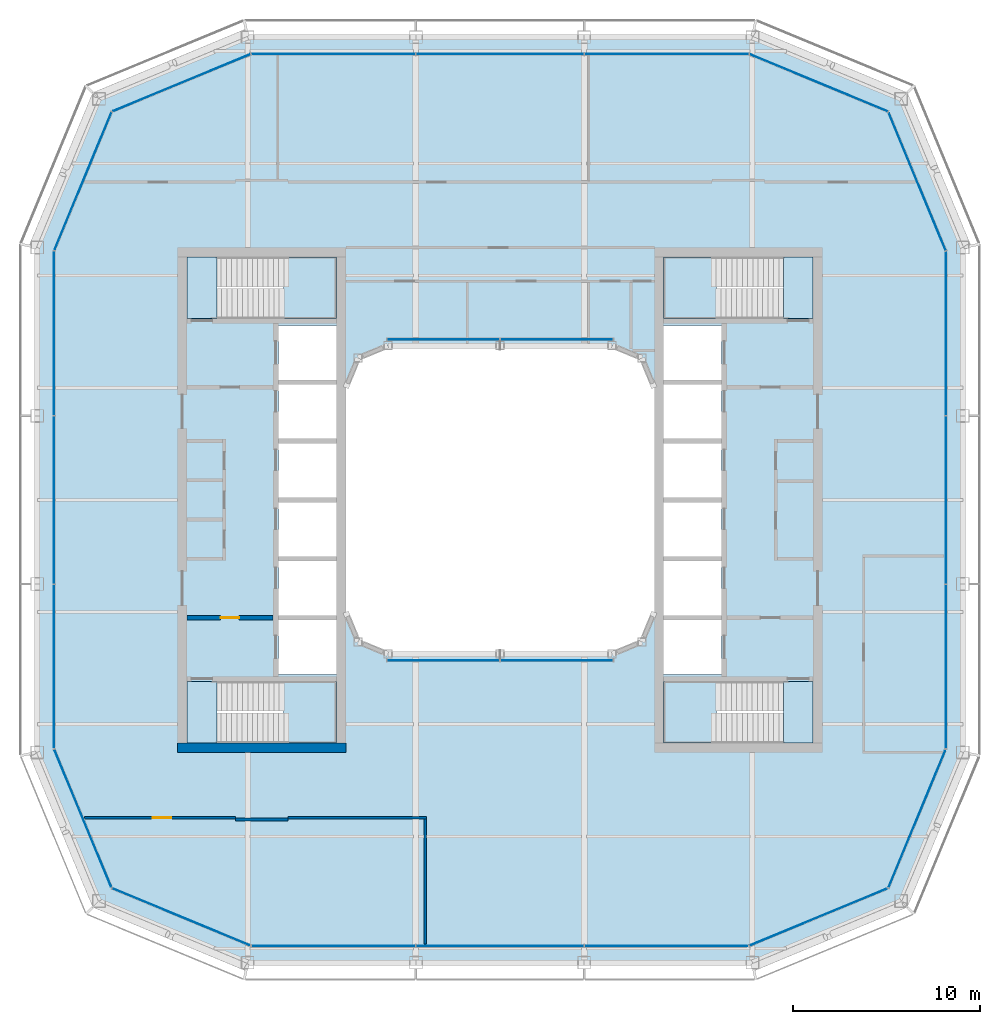
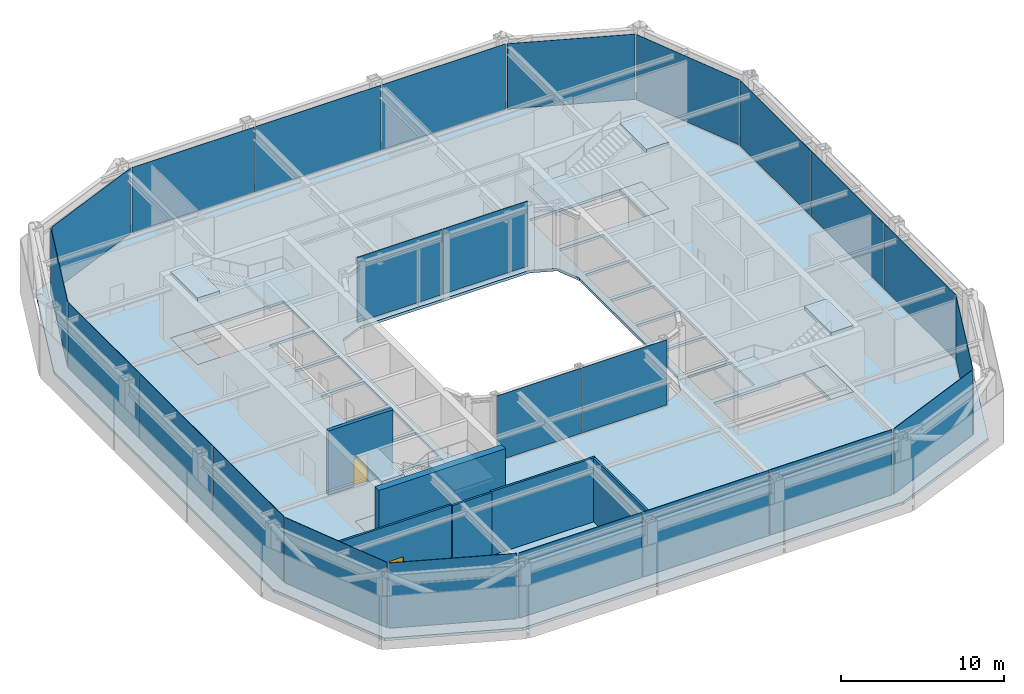
# One storey, part 10 of 17: 24 plates, 13 slabs, 6 walls, 2 doors, 2 openings, 18 elements without a shape of their own.
"""IFC4 building model written with IfcOpenShell, lengths in metres."""

from ifc_helpers import new_model, si_unit, direction, frame, frame_2d, origin, origin_2d, place, context, subcontext, project, spatial, polyline, rectangle, outline, extrude, material, layer, layer_set, type_object, element, fill, aggregate, save


model = new_model("IFC4")

# Units and contexts
model_context = context("Model", 3, precision=1e-05, world=origin(), true_north=direction((0.0, 1.0)))
body_context = subcontext(model_context, "Body", "Model", "MODEL_VIEW")
ifc_project = project(units=[si_unit("LENGTHUNIT", "METRE"), si_unit("AREAUNIT", "SQUARE_METRE"), si_unit("VOLUMEUNIT", "CUBIC_METRE"), si_unit("PLANEANGLEUNIT", "RADIAN"), si_unit("MASSUNIT", "GRAM", prefix="KILO")], contexts=[model_context])

# Site, building, storey
site_placement = place(None, origin())
site = spatial("IfcSite", under=ifc_project, at=site_placement, CompositionType="ELEMENT")
building_placement = place(site_placement, origin())
building = spatial("IfcBuilding", under=site, at=building_placement, Name="Siwar Civic Tower", CompositionType="ELEMENT")
storey_placement = place(building_placement, frame((0.0, 0.0, 353.199951171875)))
storey = spatial("IfcBuildingStorey", under=building, at=storey_placement, Name="L76", CompositionType="ELEMENT", Elevation=353.199951171875)

# Stair, slabs
ifc_material_1 = material(Name="Concrete C40/50", Category="concrete")
stair_type = type_object("IfcStairType", Name="CORE-STAIR", PredefinedType="TWO_STRAIGHT_RUN_STAIR", material=ifc_material_1)
stair_1_placement = place(storey_placement, origin())
stair_1 = element("IfcStair", 1, at=stair_1_placement, inside=storey, type_object=stair_type, Name="Exit stair ST1", PredefinedType="TWO_STRAIGHT_RUN_STAIR")
ifc_material_2 = material(Name="Concrete C40/50", Category="concrete")
ifc_layer_1 = layer(ifc_material_2, 0.300048828125)
ifc_layer_set_1 = layer_set([ifc_layer_1], Name="Concrete C40/50")
slab_type_1 = type_object("IfcSlabType", Name="CORE-STAIR-LANDING", PredefinedType="LANDING", material=ifc_layer_set_1)
slab_1_placement = place(storey_placement, frame((0.0, 0.0, -0.300048828125)))
slab_1 = element("IfcSlab", 2, at=slab_1_placement, type_object=slab_type_1, Name="ST1 landing 1", PredefinedType="LANDING", context=body_context, shape_type="SweptSolid", body=[
    extrude(outline(polyline([(-15.14990234375, 13.0), (-16.75, 13.0), (-16.75, 9.699951171875), (-15.14990234375, 9.699951171875), (-15.14990234375, 13.0)])), origin(), (0.0, 0.0, 1.0), 0.300048828125),
])
slab_2_placement = place(storey_placement, frame((0.0, 0.0, 2.199951171875)))
slab_2 = element("IfcSlab", 3, at=slab_2_placement, type_object=slab_type_1, Name="ST1 landing 2", PredefinedType="LANDING", context=body_context, shape_type="SweptSolid", body=[
    extrude(outline(polyline([(-8.75, 13.0), (-11.580078125, 13.0), (-11.580078125, 9.699951171875), (-8.75, 9.699951171875), (-8.75, 13.0)])), origin(), (0.0, 0.0, 1.0), 0.300048828125),
])
placement = place(building_placement, frame((0.0, 0.0, 358.199951171875)))
slab_3_placement = place(placement, frame((0.0, 0.0, -0.300048828125)))
slab_3 = element("IfcSlab", 4, at=slab_3_placement, type_object=slab_type_1, Name="ST1 landing 3", PredefinedType="LANDING", context=body_context, shape_type="SweptSolid", body=[
    extrude(outline(polyline([(-15.14990234375, 13.0), (-16.75, 13.0), (-16.75, 9.699951171875), (-15.14990234375, 9.699951171875), (-15.14990234375, 13.0)])), origin(), (0.0, 0.0, 1.0), 0.300048828125),
])
aggregate(stair_1, [slab_1, slab_2, slab_3])

stair_2_placement = place(storey_placement, origin())
stair_2 = element("IfcStair", 5, at=stair_2_placement, inside=storey, type_object=stair_type, Name="Exit stair ST2", PredefinedType="TWO_STRAIGHT_RUN_STAIR")
slab_4_placement = place(storey_placement, frame((0.0, 0.0, -0.300048828125)))
slab_4 = element("IfcSlab", 6, at=slab_4_placement, type_object=slab_type_1, Name="ST2 landing 1", PredefinedType="LANDING", context=body_context, shape_type="SweptSolid", body=[
    extrude(outline(polyline([(-15.14990234375, -9.699951171875), (-16.75, -9.699951171875), (-16.75, -13.0), (-15.14990234375, -13.0), (-15.14990234375, -9.699951171875)])), origin(), (0.0, 0.0, 1.0), 0.300048828125),
])
slab_5_placement = place(storey_placement, frame((0.0, 0.0, 2.199951171875)))
slab_5 = element("IfcSlab", 7, at=slab_5_placement, type_object=slab_type_1, Name="ST2 landing 2", PredefinedType="LANDING", context=body_context, shape_type="SweptSolid", body=[
    extrude(outline(polyline([(-8.75, -9.699951171875), (-11.580078125, -9.699951171875), (-11.580078125, -13.0), (-8.75, -13.0), (-8.75, -9.699951171875)])), origin(), (0.0, 0.0, 1.0), 0.300048828125),
])
slab_6_placement = place(placement, frame((0.0, 0.0, -0.300048828125)))
slab_6 = element("IfcSlab", 8, at=slab_6_placement, type_object=slab_type_1, Name="ST2 landing 3", PredefinedType="LANDING", context=body_context, shape_type="SweptSolid", body=[
    extrude(outline(polyline([(-15.14990234375, -9.699951171875), (-16.75, -9.699951171875), (-16.75, -13.0), (-15.14990234375, -13.0), (-15.14990234375, -9.699951171875)])), origin(), (0.0, 0.0, 1.0), 0.300048828125),
])
aggregate(stair_2, [slab_4, slab_5, slab_6])

stair_3_placement = place(storey_placement, origin())
stair_3 = element("IfcStair", 9, at=stair_3_placement, inside=storey, type_object=stair_type, Name="Exit stair ST3", PredefinedType="TWO_STRAIGHT_RUN_STAIR")
slab_7_placement = place(storey_placement, frame((0.0, 0.0, -0.300048828125)))
slab_7 = element("IfcSlab", 10, at=slab_7_placement, type_object=slab_type_1, Name="ST3 landing 1", PredefinedType="LANDING", context=body_context, shape_type="SweptSolid", body=[
    extrude(outline(polyline([(15.14990234375, 9.699951171875), (16.75, 9.699951171875), (16.75, 13.0), (15.14990234375, 13.0), (15.14990234375, 9.699951171875)])), origin(), (0.0, 0.0, 1.0), 0.300048828125),
])
slab_8_placement = place(storey_placement, frame((0.0, 0.0, 2.199951171875)))
slab_8 = element("IfcSlab", 11, at=slab_8_placement, type_object=slab_type_1, Name="ST3 landing 2", PredefinedType="LANDING", context=body_context, shape_type="SweptSolid", body=[
    extrude(outline(polyline([(8.75, 9.699951171875), (11.580078125, 9.699951171875), (11.580078125, 13.0), (8.75, 13.0), (8.75, 9.699951171875)])), origin(), (0.0, 0.0, 1.0), 0.300048828125),
])
slab_9_placement = place(placement, frame((0.0, 0.0, -0.300048828125)))
slab_9 = element("IfcSlab", 12, at=slab_9_placement, type_object=slab_type_1, Name="ST3 landing 3", PredefinedType="LANDING", context=body_context, shape_type="SweptSolid", body=[
    extrude(outline(polyline([(15.14990234375, 9.699951171875), (16.75, 9.699951171875), (16.75, 13.0), (15.14990234375, 13.0), (15.14990234375, 9.699951171875)])), origin(), (0.0, 0.0, 1.0), 0.300048828125),
])
aggregate(stair_3, [slab_7, slab_8, slab_9])

stair_4_placement = place(storey_placement, origin())
stair_4 = element("IfcStair", 13, at=stair_4_placement, inside=storey, type_object=stair_type, Name="Exit stair ST4", PredefinedType="TWO_STRAIGHT_RUN_STAIR")
slab_10_placement = place(storey_placement, frame((0.0, 0.0, -0.300048828125)))
slab_10 = element("IfcSlab", 14, at=slab_10_placement, type_object=slab_type_1, Name="ST4 landing 1", PredefinedType="LANDING", context=body_context, shape_type="SweptSolid", body=[
    extrude(outline(polyline([(15.14990234375, -13.0), (16.75, -13.0), (16.75, -9.699951171875), (15.14990234375, -9.699951171875), (15.14990234375, -13.0)])), origin(), (0.0, 0.0, 1.0), 0.300048828125),
])
slab_11_placement = place(storey_placement, frame((0.0, 0.0, 2.199951171875)))
slab_11 = element("IfcSlab", 15, at=slab_11_placement, type_object=slab_type_1, Name="ST4 landing 2", PredefinedType="LANDING", context=body_context, shape_type="SweptSolid", body=[
    extrude(outline(polyline([(8.75, -13.0), (11.580078125, -13.0), (11.580078125, -9.699951171875), (8.75, -9.699951171875), (8.75, -13.0)])), origin(), (0.0, 0.0, 1.0), 0.300048828125),
])
slab_12_placement = place(placement, frame((0.0, 0.0, -0.300048828125)))
slab_12 = element("IfcSlab", 16, at=slab_12_placement, type_object=slab_type_1, Name="ST4 landing 3", PredefinedType="LANDING", context=body_context, shape_type="SweptSolid", body=[
    extrude(outline(polyline([(15.14990234375, -13.0), (16.75, -13.0), (16.75, -9.699951171875), (15.14990234375, -9.699951171875), (15.14990234375, -13.0)])), origin(), (0.0, 0.0, 1.0), 0.300048828125),
])
aggregate(stair_4, [slab_10, slab_11, slab_12])

# Curtain wall, plates
ifc_material_3 = material(Name="Aluminium and glass", Category="aluminium")
ifc_layer_2 = layer(ifc_material_3, 0.159912109375)
ifc_layer_set_2 = layer_set([ifc_layer_2], Name="Aluminium and glass")
curtain_wall_type_1 = type_object("IfcCurtainWallType", Name="ENV-CW-D", PredefinedType="NOTDEFINED", material=ifc_layer_set_2)
curtain_wall_1_placement = place(storey_placement, origin())
curtain_wall_1 = element("IfcCurtainWall", 17, at=curtain_wall_1_placement, inside=storey, type_object=curtain_wall_type_1, Name="Curtain wall D S", PredefinedType="NOTDEFINED")
ifc_material_4 = material(Name="Glass clear laminated", Category="glass")
ifc_layer_3 = layer(ifc_material_4, 0.030029296875)
ifc_layer_set_3 = layer_set([ifc_layer_3], Name="Glass clear laminated")
plate_type_1 = type_object("IfcPlateType", Name="ENV-PANEL-D", PredefinedType="CURTAIN_PANEL", material=ifc_layer_set_3)
plate_1_placement = place(storey_placement, frame((-8.910400390625, -23.85009765625, 0.10009765625), z_axis=(0.0, 0.0, 1.0), x_axis=(1.0, 0.0, 0.0)))
plate_1 = element("IfcPlate", 18, at=plate_1_placement, type_object=plate_type_1, Name="Curtain panel D S 1", PredefinedType="CURTAIN_PANEL", context=body_context, shape_type="SweptSolid", body=[
    extrude(rectangle(XDim=8.760986328125, YDim=0.030029296875, at=origin_2d()), origin(), (0.0, 0.0, 1.0), 4.89990234375),
])
plate_2_placement = place(storey_placement, frame((0.0, -23.85009765625, 0.10009765625), z_axis=(0.0, 0.0, 1.0), x_axis=(1.0, 0.0, 0.0)))
plate_2 = element("IfcPlate", 19, at=plate_2_placement, type_object=plate_type_1, Name="Curtain panel D S 2", PredefinedType="CURTAIN_PANEL", context=body_context, shape_type="SweptSolid", body=[
    extrude(rectangle(XDim=8.93994140625, YDim=0.030029296875, at=origin_2d()), origin(), (0.0, 0.0, 1.0), 4.89990234375),
])
plate_3_placement = place(storey_placement, frame((8.876708984375, -23.85009765625, 0.10009765625), z_axis=(0.0, 0.0, 1.0), x_axis=(1.0, 0.0, 0.0)))
plate_3 = element("IfcPlate", 20, at=plate_3_placement, type_object=plate_type_1, Name="Curtain panel D S 3", PredefinedType="CURTAIN_PANEL", context=body_context, shape_type="SweptSolid", body=[
    extrude(rectangle(XDim=8.693115234375, YDim=0.030029296875, at=origin_2d()), origin(), (0.0, 0.0, 1.0), 4.89990234375),
])
aggregate(curtain_wall_1, [plate_1, plate_2, plate_3])

curtain_wall_2_placement = place(storey_placement, origin())
curtain_wall_2 = element("IfcCurtainWall", 21, at=curtain_wall_2_placement, inside=storey, type_object=curtain_wall_type_1, Name="Curtain wall D E", PredefinedType="NOTDEFINED")
plate_4_placement = place(storey_placement, frame((23.85009765625, -8.910400390625, 0.10009765625), z_axis=(0.0, 0.0, 1.0), x_axis=(0.0, 1.0, 0.0)))
plate_4 = element("IfcPlate", 22, at=plate_4_placement, type_object=plate_type_1, Name="Curtain panel D E 1", PredefinedType="CURTAIN_PANEL", context=body_context, shape_type="SweptSolid", body=[
    extrude(rectangle(XDim=8.760986328125, YDim=0.030029296875, at=origin_2d()), origin(), (0.0, 0.0, 1.0), 4.89990234375),
])
plate_5_placement = place(storey_placement, frame((23.85009765625, 0.0, 0.10009765625), z_axis=(0.0, 0.0, 1.0), x_axis=(0.0, 1.0, 0.0)))
plate_5 = element("IfcPlate", 23, at=plate_5_placement, type_object=plate_type_1, Name="Curtain panel D E 2", PredefinedType="CURTAIN_PANEL", context=body_context, shape_type="SweptSolid", body=[
    extrude(rectangle(XDim=8.93994140625, YDim=0.030029296875, at=origin_2d()), origin(), (0.0, 0.0, 1.0), 4.89990234375),
])
plate_6_placement = place(storey_placement, frame((23.85009765625, 8.876708984375, 0.10009765625), z_axis=(0.0, 0.0, 1.0), x_axis=(0.0, 1.0, 0.0)))
plate_6 = element("IfcPlate", 24, at=plate_6_placement, type_object=plate_type_1, Name="Curtain panel D E 3", PredefinedType="CURTAIN_PANEL", context=body_context, shape_type="SweptSolid", body=[
    extrude(rectangle(XDim=8.693115234375, YDim=0.030029296875, at=origin_2d()), origin(), (0.0, 0.0, 1.0), 4.89990234375),
])
aggregate(curtain_wall_2, [plate_4, plate_5, plate_6])

curtain_wall_3_placement = place(storey_placement, origin())
curtain_wall_3 = element("IfcCurtainWall", 25, at=curtain_wall_3_placement, inside=storey, type_object=curtain_wall_type_1, Name="Curtain wall D N", PredefinedType="NOTDEFINED")
plate_7_placement = place(storey_placement, frame((8.910400390625, 23.85009765625, 0.10009765625), z_axis=(0.0, 0.0, 1.0), x_axis=(-1.0, 0.0, 0.0)))
plate_7 = element("IfcPlate", 26, at=plate_7_placement, type_object=plate_type_1, Name="Curtain panel D N 1", PredefinedType="CURTAIN_PANEL", context=body_context, shape_type="SweptSolid", body=[
    extrude(rectangle(XDim=8.760986328125, YDim=0.030029296875, at=origin_2d()), origin(), (0.0, 0.0, 1.0), 4.89990234375),
])
plate_8_placement = place(storey_placement, frame((0.0, 23.85009765625, 0.10009765625), z_axis=(0.0, 0.0, 1.0), x_axis=(-1.0, 0.0, 0.0)))
plate_8 = element("IfcPlate", 27, at=plate_8_placement, type_object=plate_type_1, Name="Curtain panel D N 2", PredefinedType="CURTAIN_PANEL", context=body_context, shape_type="SweptSolid", body=[
    extrude(rectangle(XDim=8.93994140625, YDim=0.030029296875, at=origin_2d()), origin(), (0.0, 0.0, 1.0), 4.89990234375),
])
plate_9_placement = place(storey_placement, frame((-8.876708984375, 23.85009765625, 0.10009765625), z_axis=(0.0, 0.0, 1.0), x_axis=(-1.0, 0.0, 0.0)))
plate_9 = element("IfcPlate", 28, at=plate_9_placement, type_object=plate_type_1, Name="Curtain panel D N 3", PredefinedType="CURTAIN_PANEL", context=body_context, shape_type="SweptSolid", body=[
    extrude(rectangle(XDim=8.693115234375, YDim=0.030029296875, at=origin_2d()), origin(), (0.0, 0.0, 1.0), 4.89990234375),
])
aggregate(curtain_wall_3, [plate_7, plate_8, plate_9])

curtain_wall_4_placement = place(storey_placement, origin())
curtain_wall_4 = element("IfcCurtainWall", 29, at=curtain_wall_4_placement, inside=storey, type_object=curtain_wall_type_1, Name="Curtain wall D W", PredefinedType="NOTDEFINED")
plate_10_placement = place(storey_placement, frame((-23.85009765625, 8.910400390625, 0.10009765625), z_axis=(0.0, 0.0, 1.0), x_axis=(0.0, -1.0, 0.0)))
plate_10 = element("IfcPlate", 30, at=plate_10_placement, type_object=plate_type_1, Name="Curtain panel D W 1", PredefinedType="CURTAIN_PANEL", context=body_context, shape_type="SweptSolid", body=[
    extrude(rectangle(XDim=8.760986328125, YDim=0.030029296875, at=origin_2d()), origin(), (0.0, 0.0, 1.0), 4.89990234375),
])
plate_11_placement = place(storey_placement, frame((-23.85009765625, 0.0, 0.10009765625), z_axis=(0.0, 0.0, 1.0), x_axis=(0.0, -1.0, 0.0)))
plate_11 = element("IfcPlate", 31, at=plate_11_placement, type_object=plate_type_1, Name="Curtain panel D W 2", PredefinedType="CURTAIN_PANEL", context=body_context, shape_type="SweptSolid", body=[
    extrude(rectangle(XDim=8.93994140625, YDim=0.030029296875, at=origin_2d()), origin(), (0.0, 0.0, 1.0), 4.89990234375),
])
plate_12_placement = place(storey_placement, frame((-23.85009765625, -8.876708984375, 0.10009765625), z_axis=(0.0, 0.0, 1.0), x_axis=(0.0, -1.0, 0.0)))
plate_12 = element("IfcPlate", 32, at=plate_12_placement, type_object=plate_type_1, Name="Curtain panel D W 3", PredefinedType="CURTAIN_PANEL", context=body_context, shape_type="SweptSolid", body=[
    extrude(rectangle(XDim=8.693115234375, YDim=0.030029296875, at=origin_2d()), origin(), (0.0, 0.0, 1.0), 4.89990234375),
])
aggregate(curtain_wall_4, [plate_10, plate_11, plate_12])

# Curtain wall, plate
ifc_material_5 = material(Name="Aluminium clad insulated panel", Category="aluminium")
ifc_layer_4 = layer(ifc_material_5, 0.159912109375)
ifc_layer_set_4 = layer_set([ifc_layer_4], Name="Aluminium clad insulated panel")
curtain_wall_type_2 = type_object("IfcCurtainWallType", Name="ENV-CW-DX", PredefinedType="NOTDEFINED", material=ifc_layer_set_4)
curtain_wall_5_placement = place(storey_placement, origin())
curtain_wall_5 = element("IfcCurtainWall", 33, at=curtain_wall_5_placement, inside=storey, type_object=curtain_wall_type_2, Name="Curtain wall D SE1", PredefinedType="NOTDEFINED")
ifc_material_6 = material(Name="Aluminium clad insulated panel", Category="aluminium")
ifc_layer_5 = layer(ifc_material_6, 0.030029296875)
ifc_layer_set_5 = layer_set([ifc_layer_5], Name="Aluminium clad insulated panel")
plate_type_2 = type_object("IfcPlateType", Name="ENV-PANEL-DX", PredefinedType="CURTAIN_PANEL", material=ifc_layer_set_5)
plate_13_placement = place(storey_placement, frame((17.01220703125, -22.321044921875, 0.10009765625), z_axis=(0.0, 0.0, 1.0), x_axis=(0.923879532511, 0.382683432365, 0.0)))
plate_13 = element("IfcPlate", 34, at=plate_13_placement, type_object=plate_type_2, Name="Curtain panel D SE1 1", PredefinedType="CURTAIN_PANEL", context=body_context, shape_type="SweptSolid", body=[
    extrude(rectangle(XDim=7.9306640625, YDim=0.030029296875, at=origin_2d()), origin(), (0.0, 0.0, 1.0), 4.89990234375),
])
aggregate(curtain_wall_5, [plate_13])

curtain_wall_6_placement = place(storey_placement, origin())
curtain_wall_6 = element("IfcCurtainWall", 35, at=curtain_wall_6_placement, inside=storey, type_object=curtain_wall_type_2, Name="Curtain wall D SE2", PredefinedType="NOTDEFINED")
plate_14_placement = place(storey_placement, frame((22.295166015625, -17.074951171875, 0.10009765625), z_axis=(0.0, 0.0, 1.0), x_axis=(0.382683432365, 0.923879532511, 0.0)))
plate_14 = element("IfcPlate", 36, at=plate_14_placement, type_object=plate_type_2, Name="Curtain panel D SE2 1", PredefinedType="CURTAIN_PANEL", context=body_context, shape_type="SweptSolid", body=[
    extrude(rectangle(XDim=7.9306640625, YDim=0.030029296875, at=origin_2d()), origin(), (0.0, 0.0, 1.0), 4.89990234375),
])
aggregate(curtain_wall_6, [plate_14])

curtain_wall_7_placement = place(storey_placement, origin())
curtain_wall_7 = element("IfcCurtainWall", 37, at=curtain_wall_7_placement, inside=storey, type_object=curtain_wall_type_2, Name="Curtain wall D NE1", PredefinedType="NOTDEFINED")
plate_15_placement = place(storey_placement, frame((22.321044921875, 17.01220703125, 0.10009765625), z_axis=(0.0, 0.0, 1.0), x_axis=(-0.382683432365, 0.923879532511, 0.0)))
plate_15 = element("IfcPlate", 38, at=plate_15_placement, type_object=plate_type_2, Name="Curtain panel D NE1 1", PredefinedType="CURTAIN_PANEL", context=body_context, shape_type="SweptSolid", body=[
    extrude(rectangle(XDim=7.9306640625, YDim=0.030029296875, at=origin_2d()), origin(), (0.0, 0.0, 1.0), 4.89990234375),
])
aggregate(curtain_wall_7, [plate_15])

curtain_wall_8_placement = place(storey_placement, origin())
curtain_wall_8 = element("IfcCurtainWall", 39, at=curtain_wall_8_placement, inside=storey, type_object=curtain_wall_type_2, Name="Curtain wall D NE2", PredefinedType="NOTDEFINED")
plate_16_placement = place(storey_placement, frame((17.074951171875, 22.295166015625, 0.10009765625), z_axis=(0.0, 0.0, 1.0), x_axis=(-0.923879532511, 0.382683432365, 0.0)))
plate_16 = element("IfcPlate", 40, at=plate_16_placement, type_object=plate_type_2, Name="Curtain panel D NE2 1", PredefinedType="CURTAIN_PANEL", context=body_context, shape_type="SweptSolid", body=[
    extrude(rectangle(XDim=7.9306640625, YDim=0.030029296875, at=origin_2d()), origin(), (0.0, 0.0, 1.0), 4.89990234375),
])
aggregate(curtain_wall_8, [plate_16])

curtain_wall_9_placement = place(storey_placement, origin())
curtain_wall_9 = element("IfcCurtainWall", 41, at=curtain_wall_9_placement, inside=storey, type_object=curtain_wall_type_2, Name="Curtain wall D NW1", PredefinedType="NOTDEFINED")
plate_17_placement = place(storey_placement, frame((-17.01220703125, 22.321044921875, 0.10009765625), z_axis=(0.0, 0.0, 1.0), x_axis=(-0.923879532511, -0.382683432365, 0.0)))
plate_17 = element("IfcPlate", 42, at=plate_17_placement, type_object=plate_type_2, Name="Curtain panel D NW1 1", PredefinedType="CURTAIN_PANEL", context=body_context, shape_type="SweptSolid", body=[
    extrude(rectangle(XDim=7.9306640625, YDim=0.030029296875, at=origin_2d()), origin(), (0.0, 0.0, 1.0), 4.89990234375),
])
aggregate(curtain_wall_9, [plate_17])

curtain_wall_10_placement = place(storey_placement, origin())
curtain_wall_10 = element("IfcCurtainWall", 43, at=curtain_wall_10_placement, inside=storey, type_object=curtain_wall_type_2, Name="Curtain wall D NW2", PredefinedType="NOTDEFINED")
plate_18_placement = place(storey_placement, frame((-22.295166015625, 17.074951171875, 0.10009765625), z_axis=(0.0, 0.0, 1.0), x_axis=(-0.382683432365, -0.923879532511, 0.0)))
plate_18 = element("IfcPlate", 44, at=plate_18_placement, type_object=plate_type_2, Name="Curtain panel D NW2 1", PredefinedType="CURTAIN_PANEL", context=body_context, shape_type="SweptSolid", body=[
    extrude(rectangle(XDim=7.9306640625, YDim=0.030029296875, at=origin_2d()), origin(), (0.0, 0.0, 1.0), 4.89990234375),
])
aggregate(curtain_wall_10, [plate_18])

curtain_wall_11_placement = place(storey_placement, origin())
curtain_wall_11 = element("IfcCurtainWall", 45, at=curtain_wall_11_placement, inside=storey, type_object=curtain_wall_type_2, Name="Curtain wall D SW1", PredefinedType="NOTDEFINED")
plate_19_placement = place(storey_placement, frame((-22.321044921875, -17.01220703125, 0.10009765625), z_axis=(0.0, 0.0, 1.0), x_axis=(0.382683432365, -0.923879532511, 0.0)))
plate_19 = element("IfcPlate", 46, at=plate_19_placement, type_object=plate_type_2, Name="Curtain panel D SW1 1", PredefinedType="CURTAIN_PANEL", context=body_context, shape_type="SweptSolid", body=[
    extrude(rectangle(XDim=7.9306640625, YDim=0.030029296875, at=origin_2d()), origin(), (0.0, 0.0, 1.0), 4.89990234375),
])
aggregate(curtain_wall_11, [plate_19])

curtain_wall_12_placement = place(storey_placement, origin())
curtain_wall_12 = element("IfcCurtainWall", 47, at=curtain_wall_12_placement, inside=storey, type_object=curtain_wall_type_2, Name="Curtain wall D SW2", PredefinedType="NOTDEFINED")
plate_20_placement = place(storey_placement, frame((-17.074951171875, -22.295166015625, 0.10009765625), z_axis=(0.0, 0.0, 1.0), x_axis=(0.923879532511, -0.382683432365, 0.0)))
plate_20 = element("IfcPlate", 48, at=plate_20_placement, type_object=plate_type_2, Name="Curtain panel D SW2 1", PredefinedType="CURTAIN_PANEL", context=body_context, shape_type="SweptSolid", body=[
    extrude(rectangle(XDim=7.9306640625, YDim=0.030029296875, at=origin_2d()), origin(), (0.0, 0.0, 1.0), 4.89990234375),
])
aggregate(curtain_wall_12, [plate_20])

# Curtain wall, plates
ifc_material_7 = material(Name="Aluminium and glass", Category="aluminium")
ifc_layer_6 = layer(ifc_material_7, 0.179931640625)
ifc_layer_set_6 = layer_set([ifc_layer_6], Name="Aluminium and glass")
curtain_wall_type_3 = type_object("IfcCurtainWallType", Name="ENV-CW-W", PredefinedType="NOTDEFINED", material=ifc_layer_set_6)
curtain_wall_13_placement = place(storey_placement, origin())
curtain_wall_13 = element("IfcCurtainWall", 49, at=curtain_wall_13_placement, inside=storey, type_object=curtain_wall_type_3, Name="Curtain wall W WS", PredefinedType="NOTDEFINED")
ifc_material_8 = material(Name="Glass clear laminated", Category="glass")
ifc_layer_7 = layer(ifc_material_8, 0.031982421875)
ifc_layer_set_7 = layer_set([ifc_layer_7], Name="Glass clear laminated")
plate_type_3 = type_object("IfcPlateType", Name="ENV-PANEL-W", PredefinedType="CURTAIN_PANEL", material=ifc_layer_set_7)
plate_21_placement = place(storey_placement, frame((-3.033203125, -8.5849609375, 0.10009765625), z_axis=(0.0, 0.0, 1.0), x_axis=(1.0, 0.0, 0.0)))
plate_21 = element("IfcPlate", 50, at=plate_21_placement, type_object=plate_type_3, Name="Curtain panel W WS 1", PredefinedType="CURTAIN_PANEL", context=body_context, shape_type="SweptSolid", body=[
    extrude(rectangle(XDim=6.006591796875, YDim=0.031982421875, at=origin_2d()), origin(), (0.0, 0.0, 1.0), 4.89990234375),
])
plate_22_placement = place(storey_placement, frame((3.033203125, -8.5849609375, 0.10009765625), z_axis=(0.0, 0.0, 1.0), x_axis=(1.0, 0.0, 0.0)))
plate_22 = element("IfcPlate", 51, at=plate_22_placement, type_object=plate_type_3, Name="Curtain panel W WS 2", PredefinedType="CURTAIN_PANEL", context=body_context, shape_type="SweptSolid", body=[
    extrude(rectangle(XDim=6.006591796875, YDim=0.031982421875, at=origin_2d()), origin(), (0.0, 0.0, 1.0), 4.89990234375),
])
aggregate(curtain_wall_13, [plate_21, plate_22])

curtain_wall_14_placement = place(storey_placement, origin())
curtain_wall_14 = element("IfcCurtainWall", 52, at=curtain_wall_14_placement, inside=storey, type_object=curtain_wall_type_3, Name="Curtain wall W WN", PredefinedType="NOTDEFINED")
plate_23_placement = place(storey_placement, frame((3.033203125, 8.5849609375, 0.10009765625), z_axis=(0.0, 0.0, 1.0), x_axis=(-1.0, 0.0, 0.0)))
plate_23 = element("IfcPlate", 53, at=plate_23_placement, type_object=plate_type_3, Name="Curtain panel W WN 1", PredefinedType="CURTAIN_PANEL", context=body_context, shape_type="SweptSolid", body=[
    extrude(rectangle(XDim=6.006591796875, YDim=0.031982421875, at=origin_2d()), origin(), (0.0, 0.0, 1.0), 4.89990234375),
])
plate_24_placement = place(storey_placement, frame((-3.033203125, 8.5849609375, 0.10009765625), z_axis=(0.0, 0.0, 1.0), x_axis=(-1.0, 0.0, 0.0)))
plate_24 = element("IfcPlate", 54, at=plate_24_placement, type_object=plate_type_3, Name="Curtain panel W WN 2", PredefinedType="CURTAIN_PANEL", context=body_context, shape_type="SweptSolid", body=[
    extrude(rectangle(XDim=6.006591796875, YDim=0.031982421875, at=origin_2d()), origin(), (0.0, 0.0, 1.0), 4.89990234375),
])
aggregate(curtain_wall_14, [plate_23, plate_24])

# Slab
ifc_material_9 = material(Name="Concrete C40/50", Category="concrete")
ifc_layer_8 = layer(ifc_material_9, 0.199951171875)
ifc_layer_set_8 = layer_set([ifc_layer_8], Name="Concrete C40/50")
slab_type_2 = type_object("IfcSlabType", Name="STR-FLOOR-DECK-200", PredefinedType="FLOOR", material=ifc_layer_set_8)
slab_13_placement = place(storey_placement, frame((0.0, 0.0, -0.199951171875)))
element("IfcSlab", 55, at=slab_13_placement, inside=storey, type_object=slab_type_2, Name="L76/slab/1", PredefinedType="FLOOR", context=body_context, shape_type="SweptSolid", body=[
    extrude(outline(polyline([(-13.5, -24.75), (13.5, -24.75), (21.454833984375, -21.454833984375), (24.75, -13.5), (24.75, 13.5), (21.454833984375, 21.454833984375), (13.5, 24.75), (-13.5, 24.75), (-21.454833984375, 21.454833984375), (-24.75, 13.5), (-24.75, -13.5), (-21.454833984375, -21.454833984375), (-13.5, -24.75)]), holes=[polyline([(16.75, 13.0), (16.75, 9.699951171875), (8.75, 9.699951171875), (8.75, 13.0), (16.75, 13.0)]), polyline([(8.75, -9.699951171875), (16.75, -9.699951171875), (16.75, -13.0), (8.75, -13.0), (8.75, -9.699951171875)]), polyline([(11.85009765625, 9.324951171875), (11.85009765625, 6.425048828125), (8.75, 6.425048828125), (8.75, 9.324951171875), (11.85009765625, 9.324951171875)]), polyline([(8.75, 6.175048828125), (11.85009765625, 6.175048828125), (11.85009765625, 3.27490234375), (8.75, 3.27490234375), (8.75, 6.175048828125)]), polyline([(8.75, 3.02490234375), (11.85009765625, 3.02490234375), (11.85009765625, 0.125), (8.75, 0.125), (8.75, 3.02490234375)]), polyline([(8.75, -0.125), (11.85009765625, -0.125), (11.85009765625, -3.02490234375), (8.75, -3.02490234375), (8.75, -0.125)]), polyline([(8.75, -3.27490234375), (11.85009765625, -3.27490234375), (11.85009765625, -6.175048828125), (8.75, -6.175048828125), (8.75, -3.27490234375)]), polyline([(8.75, -6.425048828125), (11.85009765625, -6.425048828125), (11.85009765625, -9.324951171875), (8.75, -9.324951171875), (8.75, -6.425048828125)]), polyline([(-6.0, 8.25), (6.0, 8.25), (7.591064453125, 7.591064453125), (8.25, 6.0), (8.25, -6.0), (7.591064453125, -7.591064453125), (6.0, -8.25), (-6.0, -8.25), (-7.591064453125, -7.591064453125), (-8.25, -6.0), (-8.25, 6.0), (-7.591064453125, 7.591064453125), (-6.0, 8.25)]), polyline([(-8.75, -13.0), (-16.75, -13.0), (-16.75, -9.699951171875), (-8.75, -9.699951171875), (-8.75, -13.0)]), polyline([(-8.75, 9.699951171875), (-16.75, 9.699951171875), (-16.75, 13.0), (-8.75, 13.0), (-8.75, 9.699951171875)]), polyline([(-8.75, 6.425048828125), (-11.85009765625, 6.425048828125), (-11.85009765625, 9.324951171875), (-8.75, 9.324951171875), (-8.75, 6.425048828125)]), polyline([(-8.75, 3.27490234375), (-11.85009765625, 3.27490234375), (-11.85009765625, 6.175048828125), (-8.75, 6.175048828125), (-8.75, 3.27490234375)]), polyline([(-8.75, 0.125), (-11.85009765625, 0.125), (-11.85009765625, 3.02490234375), (-8.75, 3.02490234375), (-8.75, 0.125)]), polyline([(-8.75, -3.02490234375), (-11.85009765625, -3.02490234375), (-11.85009765625, -0.125), (-8.75, -0.125), (-8.75, -3.02490234375)]), polyline([(-8.75, -6.175048828125), (-11.85009765625, -6.175048828125), (-11.85009765625, -3.27490234375), (-8.75, -3.27490234375), (-8.75, -6.175048828125)]), polyline([(-8.75, -9.324951171875), (-11.85009765625, -9.324951171875), (-11.85009765625, -6.425048828125), (-8.75, -6.425048828125), (-8.75, -9.324951171875)])]), origin(), (0.0, 0.0, 1.0), 0.199951171875),
])

# Wall, opening, door
ifc_material_10 = material(Name="Concrete C60/75", Category="concrete")
ifc_layer_9 = layer(ifc_material_10, 0.25)
ifc_layer_set_9 = layer_set([ifc_layer_9], Name="Concrete C60/75")
wall_type_1 = type_object("IfcWallType", Name="CORE-WALL-RC250", PredefinedType="SHEAR", material=ifc_layer_set_9)
wall_1_placement = place(storey_placement, frame((-12.14990234375, -6.300048828125, 0.0), z_axis=(0.0, 0.0, 1.0), x_axis=(-1.0, 0.0, 0.0)))
wall_1 = element("IfcWall", 56, at=wall_1_placement, inside=storey, type_object=wall_type_1, Name="Core wall W", PredefinedType="SHEAR", context=body_context, shape_type="SweptSolid", body=[
    extrude(rectangle(XDim=4.60009765625, YDim=0.25, at=frame_2d((2.300048828125, 0.0))), origin(), (0.0, 0.0, 1.0), 4.800048828125),
])
opening_1_placement = place(wall_1_placement, frame((1.800048828125, 0.0, 0.0)))
opening_1 = element("IfcOpeningElement", 57, at=opening_1_placement, cuts=wall_1, Name="Opening L76-CW02", PredefinedType="OPENING", context=body_context, shape_type="SweptSolid", body=[
    extrude(rectangle(XDim=1.0, YDim=2.10009765625, at=frame_2d((0.5, 1.050048828125))), frame((0.0, 0.135009765625, 0.0), z_axis=(0.0, -1.0, 0.0), x_axis=(1.0, 0.0, 0.0)), (0.0, 0.0, 1.0), 0.27001953125),
])
ifc_material_11 = material(Name="Steel door leaf", Category="steel")
door_type_1 = type_object("IfcDoorType", Name="CORE-DOOR-FD30S", OperationType="SINGLE_SWING_LEFT", PredefinedType="DOOR", material=ifc_material_11)
door_1_placement = place(opening_1_placement, origin())
door_1 = element("IfcDoor", 58, at=door_1_placement, inside=storey, type_object=door_type_1, Name="Service lobby door L76-CW02", OperationType="SINGLE_SWING_RIGHT", OverallHeight=2.10009765625, OverallWidth=1.0, PredefinedType="DOOR", context=body_context, shape_type="SweptSolid", body=[
    extrude(rectangle(XDim=1.0, YDim=2.10009765625, at=frame_2d((0.5, 1.050048828125))), frame((0.0, 0.02490234375, 0.0), z_axis=(0.0, -1.0, 0.0), x_axis=(1.0, 0.0, 0.0)), (0.0, 0.0, 1.0), 0.050048828125),
])
fill(opening_1, door_1)

# Walls
ifc_material_12 = material(Name="Concrete C60/75", Category="concrete")
ifc_layer_10 = layer(ifc_material_12, 0.5)
ifc_layer_set_10 = layer_set([ifc_layer_10], Name="Concrete C60/75")
wall_type_2 = type_object("IfcWallType", Name="CORE-WALL-RC500", PredefinedType="SHEAR", material=ifc_layer_set_10)
wall_2_placement = place(storey_placement, frame((-8.25, -13.25, 0.0), z_axis=(0.0, 0.0, 1.0), x_axis=(-1.0, 0.0, 0.0)))
element("IfcWall", 59, at=wall_2_placement, inside=storey, type_object=wall_type_2, Name="Core wall W", PredefinedType="SHEAR", context=body_context, shape_type="SweptSolid", body=[
    extrude(rectangle(XDim=9.0, YDim=0.5, at=frame_2d((4.5, 0.0))), origin(), (0.0, 0.0, 1.0), 4.800048828125),
])
ifc_material_13 = material(Name="Gypsum board on steel studs", Category="steel")
ifc_layer_11 = layer(ifc_material_13, 0.14990234375)
ifc_layer_set_11 = layer_set([ifc_layer_11], Name="Gypsum board on steel studs")
wall_type_3 = type_object("IfcWallType", Name="CORRIDOR PARTITION 150 EI 30", PredefinedType="PARTITIONING", material=ifc_layer_set_11)
wall_3_placement = place(storey_placement, frame((-14.14990234375, -17.10009765625, 0.0), z_axis=(0.0, 0.0, 1.0), x_axis=(1.0, 0.0, 0.0)))
element("IfcWall", 60, at=wall_3_placement, inside=storey, type_object=wall_type_3, Name="L76/wall/P01", PredefinedType="PARTITIONING", context=body_context, shape_type="SweptSolid", body=[
    extrude(rectangle(XDim=2.7998046875, YDim=0.14990234375, at=frame_2d((1.39990234375, 0.0))), origin(), (0.0, 0.0, 1.0), 4.800048828125),
])

# Wall, opening, door
wall_4_placement = place(storey_placement, frame((-22.22900390625, -17.0, 0.0), z_axis=(0.0, 0.0, 1.0), x_axis=(1.0, 0.0, 0.0)))
wall_4 = element("IfcWall", 61, at=wall_4_placement, inside=storey, type_object=wall_type_3, Name="L76/wall/P02", PredefinedType="PARTITIONING", context=body_context, shape_type="SweptSolid", body=[
    extrude(rectangle(XDim=8.0791015625, YDim=0.14990234375, at=frame_2d((4.03955078125, 0.0))), origin(), (0.0, 0.0, 1.0), 4.800048828125),
])
opening_2_placement = place(wall_4_placement, frame((3.64990234375, 0.0, 0.0)))
opening_2 = element("IfcOpeningElement", 62, at=opening_2_placement, cuts=wall_4, Name="Opening D1", PredefinedType="OPENING", context=body_context, shape_type="SweptSolid", body=[
    extrude(rectangle(XDim=1.0, YDim=2.10009765625, at=frame_2d((0.5, 1.050048828125))), frame((0.0, 0.0849609375, 0.0), z_axis=(0.0, -1.0, 0.0), x_axis=(1.0, 0.0, 0.0)), (0.0, 0.0, 1.0), 0.169921875),
])
ifc_material_14 = material(Name="Timber, painted", Category="wood")
door_type_2 = type_object("IfcDoorType", Name="DOOR 1000 X 2100 FD30", OperationType="SINGLE_SWING_LEFT", PredefinedType="DOOR", material=ifc_material_14)
door_2_placement = place(opening_2_placement, origin())
door_2 = element("IfcDoor", 63, at=door_2_placement, inside=storey, type_object=door_type_2, Name="L76-D10", OperationType="SINGLE_SWING_RIGHT", OverallHeight=2.10009765625, OverallWidth=1.0, PredefinedType="DOOR", context=body_context, shape_type="SweptSolid", body=[
    extrude(rectangle(XDim=1.0, YDim=2.10009765625, at=frame_2d((0.5, 1.050048828125))), frame((0.0, 0.02490234375, 0.0), z_axis=(0.0, -1.0, 0.0), x_axis=(1.0, 0.0, 0.0)), (0.0, 0.0, 1.0), 0.050048828125),
])
fill(opening_2, door_2)

# Walls
wall_5_placement = place(storey_placement, frame((-11.35009765625, -17.0, 0.0), z_axis=(0.0, 0.0, 1.0), x_axis=(1.0, 0.0, 0.0)))
element("IfcWall", 64, at=wall_5_placement, inside=storey, type_object=wall_type_3, Name="L76/wall/P03", PredefinedType="PARTITIONING", context=body_context, shape_type="SweptSolid", body=[
    extrude(rectangle(XDim=7.425048828125, YDim=0.14990234375, at=frame_2d((3.71240234375, 0.0))), origin(), (0.0, 0.0, 1.0), 4.800048828125),
])
wall_6_placement = place(storey_placement, frame((-4.0, -23.760009765625, 0.0), z_axis=(0.0, 0.0, 1.0), x_axis=(0.0, 1.0, 0.0)))
element("IfcWall", 65, at=wall_6_placement, inside=storey, type_object=wall_type_3, Name="L76/wall/P16", PredefinedType="PARTITIONING", context=body_context, shape_type="SweptSolid", body=[
    extrude(rectangle(XDim=6.68505859375, YDim=0.14990234375, at=frame_2d((3.342529296875, 0.0))), origin(), (0.0, 0.0, 1.0), 4.800048828125),
])

save(model, "model.ifc")
